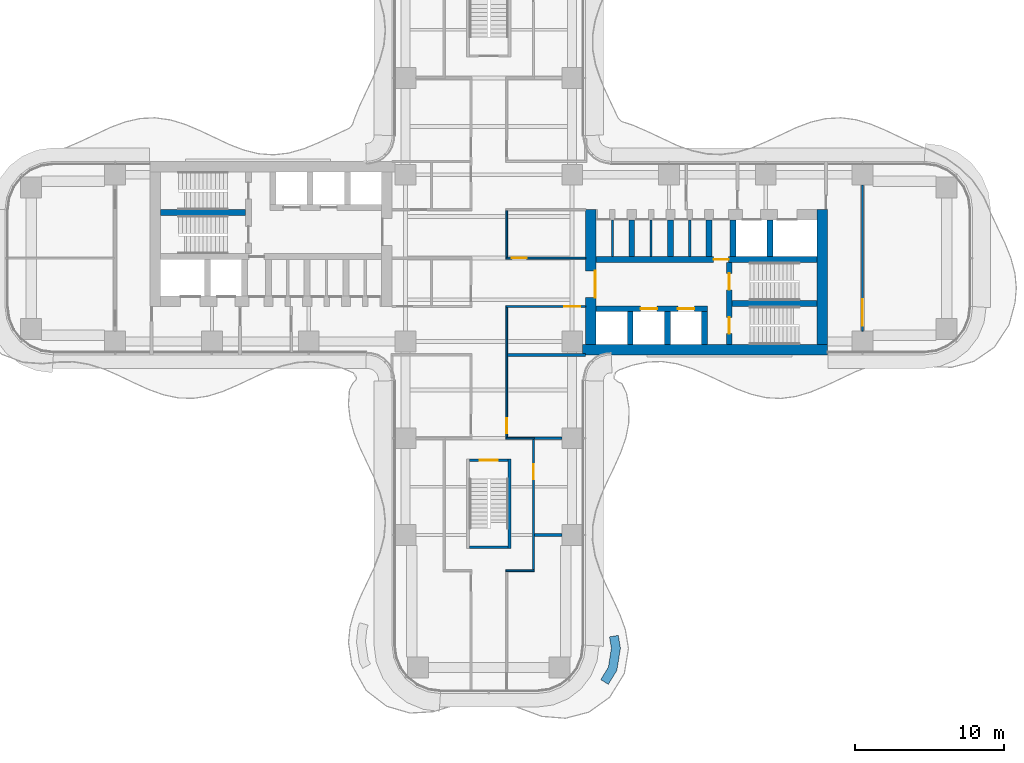
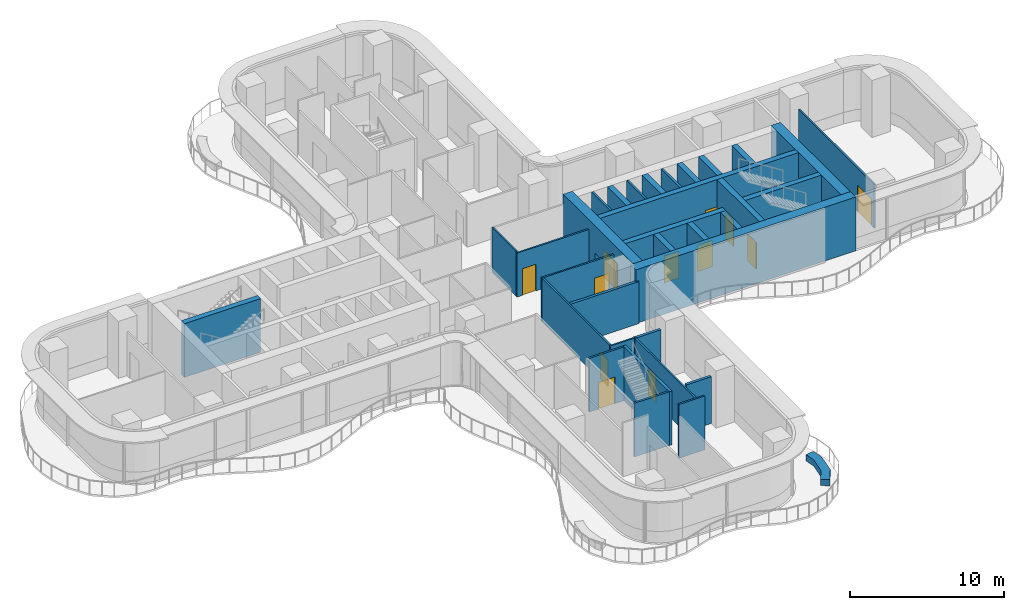
# One storey, part 18 of 23: 34 walls, 12 doors, 12 openings.
"""IFC4 building model written with IfcOpenShell, lengths in metres."""

from ifc_helpers import new_model, si_unit, direction, frame, frame_2d, origin, place, context, subcontext, project, spatial, polyline, rectangle, outline, extrude, source, transform, mapped, material, layer, layer_set, type_object, element, fill, save


model = new_model("IFC4")

# Units and contexts
model_context = context("Model", 3, precision=1e-05, world=origin(), true_north=direction((0.0, 1.0)))
body_context = subcontext(model_context, "Body", "Model", "MODEL_VIEW")
ifc_project = project(units=[si_unit("LENGTHUNIT", "METRE"), si_unit("AREAUNIT", "SQUARE_METRE"), si_unit("VOLUMEUNIT", "CUBIC_METRE"), si_unit("PLANEANGLEUNIT", "RADIAN"), si_unit("MASSUNIT", "GRAM", prefix="KILO")], contexts=[model_context])

# Site, building, storey
site_placement = place(None, origin())
site = spatial("IfcSite", under=ifc_project, at=site_placement, CompositionType="ELEMENT")
building_placement = place(site_placement, origin())
building = spatial("IfcBuilding", under=site, at=building_placement, Name="Trellis Farm Tower", CompositionType="ELEMENT")
storey_placement = place(building_placement, frame((0.0, 0.0, 83.5)))
storey = spatial("IfcBuildingStorey", under=building, at=storey_placement, Name="L17", CompositionType="ELEMENT", Elevation=83.5)

# Wall
ifc_material_1 = material(Name="Sandstone faced masonry planter", Category="masonry")
ifc_layer_1 = layer(ifc_material_1, 0.60009765625)
ifc_layer_set_1 = layer_set([ifc_layer_1], Name="PLANTER BED 600")
wall_type_1 = type_object("IfcWallType", Name="PLANTER BED 600", PredefinedType="USERDEFINED", material=ifc_layer_set_1)
wall_1_placement = place(storey_placement, origin())
element("IfcWall", 1, at=wall_1_placement, inside=storey, type_object=wall_type_1, Name="PLANTER bed", ObjectType="PLANTER", PredefinedType="USERDEFINED", context=body_context, shape_type="SweptSolid", body=[
    extrude(outline(polyline([(8.60205078125, -27.6962890625), (8.02490234375, -28.631103515625), (7.514404296875, -28.31591796875), (8.0283203125, -27.4833984375), (8.232666015625, -26.200439453125), (8.104248046875, -25.43798828125), (8.69580078125, -25.338134765625), (8.840576171875, -26.197509765625), (8.60205078125, -27.6962890625)])), origin(), (0.0, 0.0, 1.0), 0.5),
])

# Wall, opening, door
ifc_material_2 = material(Name="Concrete C80/95", Category="concrete")
ifc_layer_2 = layer(ifc_material_2, 0.699951171875)
ifc_layer_set_2 = layer_set([ifc_layer_2], Name="CORE OUTER WALL 700 CONCRETE C80/95")
wall_type_2 = type_object("IfcWallType", Name="CORE OUTER WALL 700 CONCRETE C80/95", PredefinedType="SHEAR", material=ifc_layer_set_2)
shared_shape_1 = source(origin(), body_context, "Body", "SweptSolid", [
    extrude(rectangle(XDim=9.050048828125, YDim=0.699951171875, at=frame_2d((4.52490234375, 0.0))), origin(), (0.0, 0.0, 1.0), 4.25),
])
wall_2_placement = place(storey_placement, frame((6.85009765625, -5.800048828125, 0.0), z_axis=(0.0, 0.0, 1.0), x_axis=(0.0, 1.0, 0.0)))
wall_2 = element("IfcWall", 2, at=wall_2_placement, inside=storey, type_object=wall_type_2, Name="Core wall", PredefinedType="SHEAR", context=body_context, shape_type="MappedRepresentation", body=[
    mapped(shared_shape_1, transform((0.0, 0.0, 0.0))),
])
shared_shape_2 = source(origin(), body_context, "Body", "SweptSolid", [
    extrude(rectangle(XDim=1.800048828125, YDim=2.10009765625, at=frame_2d((0.89990234375, 1.050048828125))), frame((0.0, 0.360107421875, 0.0), z_axis=(0.0, -1.0, 0.0), x_axis=(1.0, 0.0, 0.0)), (0.0, 0.0, 1.0), 0.72021484375),
])
opening_1_placement = place(wall_2_placement, frame((3.14990234375, 0.0, 0.0)))
opening_1 = element("IfcOpeningElement", 3, at=opening_1_placement, cuts=wall_2, Name="Opening DC1", PredefinedType="OPENING", context=body_context, shape_type="MappedRepresentation", body=[
    mapped(shared_shape_2, transform((0.0, 0.0, 0.0))),
])
ifc_material_3 = material(Name="Steel", Category="steel")
door_type_1 = type_object("IfcDoorType", Name="CORE FIRE DOOR DOUBLE 1800 X 2100", OperationType="DOUBLE_DOOR_SINGLE_SWING", PredefinedType="DOOR", material=ifc_material_3)
shared_shape_3 = source(origin(), body_context, "Body", "SweptSolid", [
    extrude(rectangle(XDim=1.800048828125, YDim=2.10009765625, at=frame_2d((0.89990234375, 1.050048828125))), frame((0.0, -0.27490234375, 0.0), z_axis=(0.0, -1.0, 0.0), x_axis=(1.0, 0.0, 0.0)), (0.0, 0.0, 1.0), 0.050048828125),
])
door_1_placement = place(opening_1_placement, origin())
door_1 = element("IfcDoor", 4, at=door_1_placement, inside=storey, type_object=door_type_1, Name="Core door", OperationType="DOUBLE_DOOR_SINGLE_SWING", OverallHeight=2.10009765625, OverallWidth=1.800048828125, PredefinedType="DOOR", context=body_context, shape_type="MappedRepresentation", body=[
    mapped(shared_shape_3, transform((0.0, 0.0, 0.0))),
])
fill(opening_1, door_1)

# Walls
wall_3_placement = place(storey_placement, frame((22.39990234375, -5.800048828125, 0.0), z_axis=(0.0, 0.0, 1.0), x_axis=(0.0, 1.0, 0.0)))
element("IfcWall", 5, at=wall_3_placement, inside=storey, type_object=wall_type_2, Name="Core wall", PredefinedType="SHEAR", context=body_context, shape_type="MappedRepresentation", body=[
    mapped(shared_shape_1, transform((0.0, 0.0, 0.0))),
])
ifc_layer_3 = layer(ifc_material_2, 0.39990234375)
ifc_layer_set_3 = layer_set([ifc_layer_3], Name="CORE INNER WALL 400 CONCRETE C80/95")
wall_type_3 = type_object("IfcWallType", Name="CORE INNER WALL 400 CONCRETE C80/95", PredefinedType="SHEAR", material=ifc_layer_set_3)
shared_shape_4 = source(origin(), body_context, "Body", "SweptSolid", [
    extrude(rectangle(XDim=2.199951171875, YDim=0.39990234375, at=frame_2d((1.10009765625, 0.0))), origin(), (0.0, 0.0, 1.0), 4.25),
])
for number, where, z_axis, x_axis, name in (
    (6, (9.5, -5.800048828125, 0.0), (0.0, 0.0, 1.0), (0.0, 1.0, 0.0), "Core wall"),
    (7, (12.0, -5.800048828125, 0.0), (0.0, 0.0, 1.0), (0.0, 1.0, 0.0), "Core wall"),
    (8, (14.5, -5.800048828125, 0.0), (0.0, 0.0, 1.0), (0.0, 1.0, 0.0), "Core wall"),
):
    element("IfcWall", number, at=place(storey_placement, frame(where, z_axis=z_axis, x_axis=x_axis)), inside=storey, type_object=wall_type_3, Name=name, PredefinedType="SHEAR", context=body_context, shape_type="MappedRepresentation", body=[
        mapped(shared_shape_4, transform((0.0, 0.0, 0.0))),
    ])
shared_shape_5 = source(origin(), body_context, "Body", "SweptSolid", [
    extrude(rectangle(XDim=2.449951171875, YDim=0.39990234375, at=frame_2d((1.22509765625, 0.0))), origin(), (0.0, 0.0, 1.0), 4.25),
])
for number, where, z_axis, x_axis, name in (
    (9, (9.60009765625, 0.10009765625, 0.0), (0.0, 0.0, 1.0), (0.0, 1.0, 0.0), "Core wall"),
    (10, (12.199951171875, 0.10009765625, 0.0), (0.0, 0.0, 1.0), (0.0, 1.0, 0.0), "Core wall"),
    (11, (14.800048828125, 0.10009765625, 0.0), (0.0, 0.0, 1.0), (0.0, 1.0, 0.0), "Core wall"),
    (12, (16.39990234375, 0.10009765625, 0.0), (0.0, 0.0, 1.0), (0.0, 1.0, 0.0), "Core wall"),
    (13, (18.89990234375, 0.10009765625, 0.0), (0.0, 0.0, 1.0), (0.0, 1.0, 0.0), "Core wall"),
):
    element("IfcWall", number, at=place(storey_placement, frame(where, z_axis=z_axis, x_axis=x_axis)), inside=storey, type_object=wall_type_3, Name=name, PredefinedType="SHEAR", context=body_context, shape_type="MappedRepresentation", body=[
        mapped(shared_shape_5, transform((0.0, 0.0, 0.0))),
    ])
shared_shape_6 = source(origin(), body_context, "Body", "SweptSolid", [
    extrude(rectangle(XDim=16.449951171875, YDim=0.699951171875, at=frame_2d((8.22509765625, 0.0))), origin(), (0.0, 0.0, 1.0), 4.25),
])
wall_4_placement = place(storey_placement, frame((6.300048828125, -6.14990234375, 0.0), z_axis=(0.0, 0.0, 1.0), x_axis=(1.0, 0.0, 0.0)))
element("IfcWall", 14, at=wall_4_placement, inside=storey, type_object=wall_type_2, Name="Core wall", PredefinedType="SHEAR", context=body_context, shape_type="MappedRepresentation", body=[
    mapped(shared_shape_6, transform((0.0, 0.0, 0.0))),
])

# Wall, openings, doors
shared_shape_7 = source(origin(), body_context, "Body", "SweptSolid", [
    extrude(rectangle(XDim=7.5, YDim=0.39990234375, at=frame_2d((3.75, 0.0))), origin(), (0.0, 0.0, 1.0), 4.25),
])
wall_5_placement = place(storey_placement, frame((7.199951171875, -3.39990234375, 0.0), z_axis=(0.0, 0.0, 1.0), x_axis=(1.0, 0.0, 0.0)))
wall_5 = element("IfcWall", 15, at=wall_5_placement, inside=storey, type_object=wall_type_3, Name="Core wall", PredefinedType="SHEAR", context=body_context, shape_type="MappedRepresentation", body=[
    mapped(shared_shape_7, transform((0.0, 0.0, 0.0))),
])
shared_shape_8 = source(origin(), body_context, "Body", "SweptSolid", [
    extrude(rectangle(XDim=1.10009765625, YDim=2.10009765625, at=frame_2d((0.550048828125, 1.050048828125))), frame((0.0, 0.2099609375, 0.0), z_axis=(0.0, -1.0, 0.0), x_axis=(1.0, 0.0, 0.0)), (0.0, 0.0, 1.0), 0.419921875),
])
opening_2_placement = place(wall_5_placement, frame((3.0, 0.0, 0.0)))
opening_2 = element("IfcOpeningElement", 16, at=opening_2_placement, cuts=wall_5, Name="Opening LD2", PredefinedType="OPENING", context=body_context, shape_type="MappedRepresentation", body=[
    mapped(shared_shape_8, transform((0.0, 0.0, 0.0))),
])
opening_3_placement = place(wall_5_placement, frame((5.5, 0.0, 0.0)))
opening_3 = element("IfcOpeningElement", 17, at=opening_3_placement, cuts=wall_5, Name="Opening LD3", PredefinedType="OPENING", context=body_context, shape_type="MappedRepresentation", body=[
    mapped(shared_shape_8, transform((0.0, 0.0, 0.0))),
])
ifc_material_4 = material(Name="Stainless steel", Category="steel")
door_type_2 = type_object("IfcDoorType", Name="LIFT LANDING DOOR 1100 X 2100", OperationType="DOUBLE_DOOR_SLIDING", PredefinedType="DOOR", material=ifc_material_4)
shared_shape_9 = source(origin(), body_context, "Body", "SweptSolid", [
    extrude(rectangle(XDim=1.10009765625, YDim=2.10009765625, at=frame_2d((0.550048828125, 1.050048828125))), frame((0.0, 0.02490234375, 0.0), z_axis=(0.0, -1.0, 0.0), x_axis=(1.0, 0.0, 0.0)), (0.0, 0.0, 1.0), 0.050048828125),
])
door_2_placement = place(opening_2_placement, origin())
door_2 = element("IfcDoor", 18, at=door_2_placement, inside=storey, type_object=door_type_2, Name="Lift landing door", OperationType="DOUBLE_DOOR_SLIDING", OverallHeight=2.10009765625, OverallWidth=1.10009765625, PredefinedType="DOOR", context=body_context, shape_type="MappedRepresentation", body=[
    mapped(shared_shape_9, transform((0.0, 0.0, 0.0))),
])
fill(opening_2, door_2)
door_3_placement = place(opening_3_placement, origin())
door_3 = element("IfcDoor", 19, at=door_3_placement, inside=storey, type_object=door_type_2, Name="Lift landing door", OperationType="DOUBLE_DOOR_SLIDING", OverallHeight=2.10009765625, OverallWidth=1.10009765625, PredefinedType="DOOR", context=body_context, shape_type="MappedRepresentation", body=[
    mapped(shared_shape_9, transform((0.0, 0.0, 0.0))),
])
fill(opening_3, door_3)

# Wall, opening, door
shared_shape_10 = source(origin(), body_context, "Body", "SweptSolid", [
    extrude(rectangle(XDim=14.85009765625, YDim=0.39990234375, at=frame_2d((7.425048828125, 0.0))), origin(), (0.0, 0.0, 1.0), 4.25),
])
wall_6_placement = place(storey_placement, frame((7.199951171875, -0.10009765625, 0.0), z_axis=(0.0, 0.0, 1.0), x_axis=(1.0, 0.0, 0.0)))
wall_6 = element("IfcWall", 20, at=wall_6_placement, inside=storey, type_object=wall_type_3, Name="Core wall", PredefinedType="SHEAR", context=body_context, shape_type="MappedRepresentation", body=[
    mapped(shared_shape_10, transform((0.0, 0.0, 0.0))),
])
shared_shape_11 = source(origin(), body_context, "Body", "SweptSolid", [
    extrude(rectangle(XDim=1.0, YDim=2.10009765625, at=frame_2d((0.5, 1.050048828125))), frame((0.0, 0.2099609375, 0.0), z_axis=(0.0, -1.0, 0.0), x_axis=(1.0, 0.0, 0.0)), (0.0, 0.0, 1.0), 0.419921875),
])
opening_4_placement = place(wall_6_placement, frame((7.89990234375, 0.0, 0.0)))
opening_4 = element("IfcOpeningElement", 21, at=opening_4_placement, cuts=wall_6, Name="Opening DC5", PredefinedType="OPENING", context=body_context, shape_type="MappedRepresentation", body=[
    mapped(shared_shape_11, transform((0.0, 0.0, 0.0))),
])
door_type_3 = type_object("IfcDoorType", Name="CORE FIRE DOOR 1000 X 2100", OperationType="NOTDEFINED", PredefinedType="DOOR", material=ifc_material_3)
shared_shape_12 = source(origin(), body_context, "Body", "SweptSolid", [
    extrude(rectangle(XDim=1.0, YDim=2.10009765625, at=frame_2d((0.5, 1.050048828125))), frame((0.0, 0.02490234375, 0.0), z_axis=(0.0, -1.0, 0.0), x_axis=(1.0, 0.0, 0.0)), (0.0, 0.0, 1.0), 0.050048828125),
])
door_4_placement = place(opening_4_placement, origin())
door_4 = element("IfcDoor", 22, at=door_4_placement, inside=storey, type_object=door_type_3, Name="Core door", OperationType="SINGLE_SWING_RIGHT", OverallHeight=2.10009765625, OverallWidth=1.0, PredefinedType="DOOR", context=body_context, shape_type="MappedRepresentation", body=[
    mapped(shared_shape_12, transform((0.0, 0.0, 0.0))),
])
fill(opening_4, door_4)

# Wall, openings, doors
shared_shape_13 = source(origin(), body_context, "Body", "SweptSolid", [
    extrude(rectangle(XDim=5.5, YDim=0.39990234375, at=frame_2d((2.75, 0.0))), origin(), (0.0, 0.0, 1.0), 4.25),
])
wall_7_placement = place(storey_placement, frame((16.14990234375, -5.800048828125, 0.0), z_axis=(0.0, 0.0, 1.0), x_axis=(0.0, 1.0, 0.0)))
wall_7 = element("IfcWall", 23, at=wall_7_placement, inside=storey, type_object=wall_type_3, Name="Core wall", PredefinedType="SHEAR", context=body_context, shape_type="MappedRepresentation", body=[
    mapped(shared_shape_13, transform((0.0, 0.0, 0.0))),
])
opening_5_placement = place(wall_7_placement, frame((0.72509765625, 0.0, 0.0)))
opening_5 = element("IfcOpeningElement", 24, at=opening_5_placement, cuts=wall_7, Name="Opening DC2", PredefinedType="OPENING", context=body_context, shape_type="MappedRepresentation", body=[
    mapped(shared_shape_8, transform((0.0, 0.0, 0.0))),
])
opening_6_placement = place(wall_7_placement, frame((3.675048828125, 0.0, 0.0)))
opening_6 = element("IfcOpeningElement", 25, at=opening_6_placement, cuts=wall_7, Name="Opening DC3", PredefinedType="OPENING", context=body_context, shape_type="MappedRepresentation", body=[
    mapped(shared_shape_8, transform((0.0, 0.0, 0.0))),
])
door_type_4 = type_object("IfcDoorType", Name="CORE FIRE DOOR 1100 X 2100", OperationType="NOTDEFINED", PredefinedType="DOOR", material=ifc_material_3)
door_5_placement = place(opening_5_placement, origin())
door_5 = element("IfcDoor", 26, at=door_5_placement, inside=storey, type_object=door_type_4, Name="Core door", OperationType="SINGLE_SWING_RIGHT", OverallHeight=2.10009765625, OverallWidth=1.10009765625, PredefinedType="DOOR", context=body_context, shape_type="MappedRepresentation", body=[
    mapped(shared_shape_9, transform((0.0, 0.0, 0.0))),
])
fill(opening_5, door_5)
door_6_placement = place(opening_6_placement, origin())
door_6 = element("IfcDoor", 27, at=door_6_placement, inside=storey, type_object=door_type_4, Name="Core door", OperationType="SINGLE_SWING_LEFT", OverallHeight=2.10009765625, OverallWidth=1.10009765625, PredefinedType="DOOR", context=body_context, shape_type="MappedRepresentation", body=[
    mapped(shared_shape_9, transform((0.0, 0.0, 0.0))),
])
fill(opening_6, door_6)

# Walls
shared_shape_14 = source(origin(), body_context, "Body", "SweptSolid", [
    extrude(rectangle(XDim=5.699951171875, YDim=0.39990234375, at=frame_2d((2.85009765625, 0.0))), origin(), (0.0, 0.0, 1.0), 4.25),
])
for number, where, z_axis, x_axis, name in (
    (28, (16.35009765625, -3.050048828125, 0.0), (0.0, 0.0, 1.0), (1.0, 0.0, 0.0), "Core wall"),
    (29, (-16.35009765625, 3.050048828125, 0.0), (0.0, 0.0, 1.0), (-1.0, 0.0, 0.0), "Core wall"),
):
    element("IfcWall", number, at=place(storey_placement, frame(where, z_axis=z_axis, x_axis=x_axis)), inside=storey, type_object=wall_type_3, Name=name, PredefinedType="SHEAR", context=body_context, shape_type="MappedRepresentation", body=[
        mapped(shared_shape_14, transform((0.0, 0.0, 0.0))),
    ])
ifc_material_5 = material(Name="Masonry blockwork", Category="masonry")
ifc_layer_4 = layer(ifc_material_5, 0.14990234375)
ifc_layer_set_4 = layer_set([ifc_layer_4], Name="CORE PARTITION 150 BLOCKWORK")
wall_type_4 = type_object("IfcWallType", Name="CORE PARTITION 150 BLOCKWORK", PredefinedType="PARTITIONING", material=ifc_layer_set_4)
shared_shape_15 = source(origin(), body_context, "Body", "SweptSolid", [
    extrude(rectangle(XDim=2.449951171875, YDim=0.14990234375, at=frame_2d((1.22509765625, 0.0))), origin(), (0.0, 0.0, 1.0), 4.25),
])
for number, where, z_axis, x_axis, name in (
    (30, (8.300048828125, 0.10009765625, 0.0), (0.0, 0.0, 1.0), (0.0, 1.0, 0.0), "Core room partition"),
    (31, (10.89990234375, 0.10009765625, 0.0), (0.0, 0.0, 1.0), (0.0, 1.0, 0.0), "Core room partition"),
    (32, (13.5, 0.10009765625, 0.0), (0.0, 0.0, 1.0), (0.0, 1.0, 0.0), "Core room partition"),
):
    element("IfcWall", number, at=place(storey_placement, frame(where, z_axis=z_axis, x_axis=x_axis)), inside=storey, type_object=wall_type_4, Name=name, PredefinedType="PARTITIONING", context=body_context, shape_type="MappedRepresentation", body=[
        mapped(shared_shape_15, transform((0.0, 0.0, 0.0))),
    ])
ifc_layer_5 = layer(ifc_material_2, 0.199951171875)
ifc_layer_set_5 = layer_set([ifc_layer_5], Name="CORE STAIR ENCLOSURE WALL 200 CONCRETE C80/95")
wall_type_5 = type_object("IfcWallType", Name="CORE STAIR ENCLOSURE WALL 200 CONCRETE C80/95", PredefinedType="SHEAR", material=ifc_layer_set_5)
shared_shape_16 = source(origin(), body_context, "Body", "SweptSolid", [
    extrude(rectangle(XDim=6.0, YDim=0.199951171875, at=frame_2d((3.0, 0.0))), origin(), (0.0, 0.0, 1.0), 4.25),
])
wall_8_placement = place(storey_placement, frame((1.39990234375, -13.5, 0.0), z_axis=(0.0, 0.0, 1.0), x_axis=(0.0, -1.0, 0.0)))
element("IfcWall", 33, at=wall_8_placement, inside=storey, type_object=wall_type_5, Name="Stair enclosure wall", PredefinedType="SHEAR", context=body_context, shape_type="MappedRepresentation", body=[
    mapped(shared_shape_16, transform((0.0, 0.0, 0.0))),
])

# Wall, opening, door
ifc_layer_6 = layer(ifc_material_2, 0.14990234375)
ifc_layer_set_6 = layer_set([ifc_layer_6], Name="CORE STAIR ENCLOSURE WALL 150 CONCRETE C80/95")
wall_type_6 = type_object("IfcWallType", Name="CORE STAIR ENCLOSURE WALL 150 CONCRETE C80/95", PredefinedType="SHEAR", material=ifc_layer_set_6)
shared_shape_17 = source(origin(), body_context, "Body", "SweptSolid", [
    extrude(rectangle(XDim=2.60009765625, YDim=0.14990234375, at=frame_2d((1.300048828125, 0.0))), origin(), (0.0, 0.0, 1.0), 4.25),
])
wall_9_placement = place(storey_placement, frame((1.300048828125, -13.574951171875, 0.0), z_axis=(0.0, 0.0, 1.0), x_axis=(-1.0, 0.0, 0.0)))
wall_9 = element("IfcWall", 34, at=wall_9_placement, inside=storey, type_object=wall_type_6, Name="Stair enclosure wall", PredefinedType="SHEAR", context=body_context, shape_type="MappedRepresentation", body=[
    mapped(shared_shape_17, transform((0.0, 0.0, 0.0))),
])
shared_shape_18 = source(origin(), body_context, "Body", "SweptSolid", [
    extrude(rectangle(XDim=1.199951171875, YDim=2.10009765625, at=frame_2d((0.60009765625, 1.050048828125))), frame((0.0, 0.0849609375, 0.0), z_axis=(0.0, -1.0, 0.0), x_axis=(1.0, 0.0, 0.0)), (0.0, 0.0, 1.0), 0.169921875),
])
opening_7_placement = place(wall_9_placement, frame((0.699951171875, 0.0, 0.0)))
opening_7 = element("IfcOpeningElement", 35, at=opening_7_placement, cuts=wall_9, Name="Opening DC174", PredefinedType="OPENING", context=body_context, shape_type="MappedRepresentation", body=[
    mapped(shared_shape_18, transform((0.0, 0.0, 0.0))),
])
door_type_5 = type_object("IfcDoorType", Name="CORE FIRE DOOR 1200 X 2100", OperationType="NOTDEFINED", PredefinedType="DOOR", material=ifc_material_3)
shared_shape_19 = source(origin(), body_context, "Body", "SweptSolid", [
    extrude(rectangle(XDim=1.199951171875, YDim=2.10009765625, at=frame_2d((0.60009765625, 1.050048828125))), frame((0.0, 0.02490234375, 0.0), z_axis=(0.0, -1.0, 0.0), x_axis=(1.0, 0.0, 0.0)), (0.0, 0.0, 1.0), 0.050048828125),
])
door_7_placement = place(opening_7_placement, origin())
door_7 = element("IfcDoor", 36, at=door_7_placement, inside=storey, type_object=door_type_5, Name="Core door", OperationType="SINGLE_SWING_RIGHT", OverallHeight=2.10009765625, OverallWidth=1.199951171875, PredefinedType="DOOR", context=body_context, shape_type="MappedRepresentation", body=[
    mapped(shared_shape_19, transform((0.0, 0.0, 0.0))),
])
fill(opening_7, door_7)

# Walls
wall_10_placement = place(storey_placement, frame((1.300048828125, -19.425048828125, 0.0), z_axis=(0.0, 0.0, 1.0), x_axis=(-1.0, 0.0, 0.0)))
element("IfcWall", 37, at=wall_10_placement, inside=storey, type_object=wall_type_6, Name="Stair enclosure wall", PredefinedType="SHEAR", context=body_context, shape_type="MappedRepresentation", body=[
    mapped(shared_shape_17, transform((0.0, 0.0, 0.0))),
])
ifc_material_6 = material(Name="Plasterboard on steel studs, mineral wool", Category="steel")
ifc_layer_7 = layer(ifc_material_6, 0.125)
ifc_layer_set_7 = layer_set([ifc_layer_7], Name="PARTITION 125 STUD EI 60")
wall_type_7 = type_object("IfcWallType", Name="PARTITION 125 STUD EI 60", PredefinedType="PARTITIONING", material=ifc_layer_set_7)
shared_shape_20 = source(origin(), body_context, "Body", "SweptSolid", [
    extrude(rectangle(XDim=3.125, YDim=0.125, at=frame_2d((1.5625, 0.0))), origin(), (0.0, 0.0, 1.0), 3.54638671875),
])
wall_11_placement = place(storey_placement, frame((1.199951171875, 3.1875, 0.0), z_axis=(0.0, 0.0, 1.0), x_axis=(0.0, -1.0, 0.0)))
element("IfcWall", 38, at=wall_11_placement, inside=storey, type_object=wall_type_7, Name="Partition PW1", PredefinedType="PARTITIONING", context=body_context, shape_type="MappedRepresentation", body=[
    mapped(shared_shape_20, transform((0.0, 0.0, 0.0))),
])

# Wall, opening, door
shared_shape_21 = source(origin(), body_context, "Body", "SweptSolid", [
    extrude(rectangle(XDim=9.7998046875, YDim=0.125, at=frame_2d((4.89990234375, 0.0))), origin(), (0.0, 0.0, 1.0), 3.4677734375),
])
wall_12_placement = place(storey_placement, frame((25.10009765625, 4.89990234375, 0.0), z_axis=(0.0, 0.0, 1.0), x_axis=(0.0, -1.0, 0.0)))
wall_12 = element("IfcWall", 39, at=wall_12_placement, inside=storey, type_object=wall_type_7, Name="Partition PW1", PredefinedType="PARTITIONING", context=body_context, shape_type="MappedRepresentation", body=[
    mapped(shared_shape_21, transform((0.0, 0.0, 0.0))),
])
shared_shape_22 = source(origin(), body_context, "Body", "SweptSolid", [
    extrude(rectangle(XDim=1.800048828125, YDim=2.10009765625, at=frame_2d((0.89990234375, 1.050048828125))), frame((0.0, 0.072509765625, 0.0), z_axis=(0.0, -1.0, 0.0), x_axis=(1.0, 0.0, 0.0)), (0.0, 0.0, 1.0), 0.14501953125),
])
opening_8_placement = place(wall_12_placement, frame((7.64990234375, 0.0, 0.0)))
opening_8 = element("IfcOpeningElement", 40, at=opening_8_placement, cuts=wall_12, Name="Opening D201", PredefinedType="OPENING", context=body_context, shape_type="MappedRepresentation", body=[
    mapped(shared_shape_22, transform((0.0, 0.0, 0.0))),
])
ifc_material_7 = material(Name="Fire-rated timber door leaf in a hollow metal frame", Category="wood")
door_type_6 = type_object("IfcDoorType", Name="DOOR PAIR 1800x2100 FD30S", OperationType="NOTDEFINED", PredefinedType="DOOR", material=ifc_material_7)
shared_shape_23 = source(origin(), body_context, "Body", "SweptSolid", [
    extrude(rectangle(XDim=1.800048828125, YDim=2.10009765625, at=frame_2d((0.89990234375, 1.050048828125))), frame((0.0, 0.02490234375, 0.0), z_axis=(0.0, -1.0, 0.0), x_axis=(1.0, 0.0, 0.0)), (0.0, 0.0, 1.0), 0.050048828125),
])
door_8_placement = place(opening_8_placement, origin())
door_8 = element("IfcDoor", 41, at=door_8_placement, inside=storey, type_object=door_type_6, Name="Door D201", OperationType="DOUBLE_DOOR_SINGLE_SWING", OverallHeight=2.10009765625, OverallWidth=1.800048828125, PredefinedType="DOOR", context=body_context, shape_type="MappedRepresentation", body=[
    mapped(shared_shape_23, transform((0.0, 0.0, 0.0))),
])
fill(opening_8, door_8)

# Wall
shared_shape_24 = source(origin(), body_context, "Body", "SweptSolid", [
    extrude(rectangle(XDim=1.925048828125, YDim=0.125, at=frame_2d((0.96240234375, 0.0))), origin(), (0.0, 0.0, 1.0), 3.4677734375),
])
wall_13_placement = place(storey_placement, frame((1.137451171875, -12.10009765625, 0.0), z_axis=(0.0, 0.0, 1.0), x_axis=(1.0, 0.0, 0.0)))
element("IfcWall", 42, at=wall_13_placement, inside=storey, type_object=wall_type_7, Name="Partition PW1", PredefinedType="PARTITIONING", context=body_context, shape_type="MappedRepresentation", body=[
    mapped(shared_shape_24, transform((0.0, 0.0, 0.0))),
])

# Wall, opening, door
shared_shape_25 = source(origin(), body_context, "Body", "SweptSolid", [
    extrude(rectangle(XDim=5.362548828125, YDim=0.125, at=frame_2d((2.68115234375, 0.0))), origin(), (0.0, 0.0, 1.0), 3.4677734375),
])
wall_14_placement = place(storey_placement, frame((6.5, -3.25, 0.0), z_axis=(0.0, 0.0, 1.0), x_axis=(-1.0, 0.0, 0.0)))
wall_14 = element("IfcWall", 43, at=wall_14_placement, inside=storey, type_object=wall_type_7, Name="Partition PW1", PredefinedType="PARTITIONING", context=body_context, shape_type="MappedRepresentation", body=[
    mapped(shared_shape_25, transform((0.0, 0.0, 0.0))),
])
shared_shape_26 = source(origin(), body_context, "Body", "SweptSolid", [
    extrude(rectangle(XDim=1.10009765625, YDim=2.10009765625, at=frame_2d((0.550048828125, 1.050048828125))), frame((0.0, 0.072509765625, 0.0), z_axis=(0.0, -1.0, 0.0), x_axis=(1.0, 0.0, 0.0)), (0.0, 0.0, 1.0), 0.14501953125),
])
opening_9_placement = place(wall_14_placement, frame((0.35009765625, 0.0, 0.0)))
opening_9 = element("IfcOpeningElement", 44, at=opening_9_placement, cuts=wall_14, Name="Opening D501", PredefinedType="OPENING", context=body_context, shape_type="MappedRepresentation", body=[
    mapped(shared_shape_26, transform((0.0, 0.0, 0.0))),
])
door_type_7 = type_object("IfcDoorType", Name="DOOR 1100x2100 FD30S", OperationType="NOTDEFINED", PredefinedType="DOOR", material=ifc_material_7)
door_9_placement = place(opening_9_placement, origin())
door_9 = element("IfcDoor", 45, at=door_9_placement, inside=storey, type_object=door_type_7, Name="Door D501", OperationType="SINGLE_SWING_LEFT", OverallHeight=2.10009765625, OverallWidth=1.10009765625, PredefinedType="DOOR", context=body_context, shape_type="MappedRepresentation", body=[
    mapped(shared_shape_9, transform((0.0, 0.0, 0.0))),
])
fill(opening_9, door_9)

wall_15_placement = place(storey_placement, frame((6.5, 0.0, 0.0), z_axis=(0.0, 0.0, 1.0), x_axis=(-1.0, 0.0, 0.0)))
wall_15 = element("IfcWall", 46, at=wall_15_placement, inside=storey, type_object=wall_type_7, Name="Partition PW1", PredefinedType="PARTITIONING", context=body_context, shape_type="MappedRepresentation", body=[
    mapped(shared_shape_25, transform((0.0, 0.0, 0.0))),
])
shared_shape_27 = source(origin(), body_context, "Body", "SweptSolid", [
    extrude(rectangle(XDim=1.0, YDim=2.10009765625, at=frame_2d((0.5, 1.050048828125))), frame((0.0, 0.072509765625, 0.0), z_axis=(0.0, -1.0, 0.0), x_axis=(1.0, 0.0, 0.0)), (0.0, 0.0, 1.0), 0.14501953125),
])
opening_10_placement = place(wall_15_placement, frame((3.949951171875, 0.0, 0.0)))
opening_10 = element("IfcOpeningElement", 47, at=opening_10_placement, cuts=wall_15, Name="Opening D106", PredefinedType="OPENING", context=body_context, shape_type="MappedRepresentation", body=[
    mapped(shared_shape_27, transform((0.0, 0.0, 0.0))),
])
door_type_8 = type_object("IfcDoorType", Name="DOOR 1000x2100 FD30S", OperationType="NOTDEFINED", PredefinedType="DOOR", material=ifc_material_7)
door_10_placement = place(opening_10_placement, origin())
door_10 = element("IfcDoor", 48, at=door_10_placement, inside=storey, type_object=door_type_8, Name="Door D106", OperationType="SINGLE_SWING_RIGHT", OverallHeight=2.10009765625, OverallWidth=1.0, PredefinedType="DOOR", context=body_context, shape_type="MappedRepresentation", body=[
    mapped(shared_shape_12, transform((0.0, 0.0, 0.0))),
])
fill(opening_10, door_10)

# Wall
ifc_material_8 = material(Name="Lightweight blockwork, plastered", Category="masonry")
ifc_layer_8 = layer(ifc_material_8, 0.199951171875)
ifc_layer_set_8 = layer_set([ifc_layer_8], Name="BLOCK WALL 200 EI 120")
wall_type_8 = type_object("IfcWallType", Name="BLOCK WALL 200 EI 120", PredefinedType="PARTITIONING", material=ifc_layer_set_8)
shared_shape_28 = source(origin(), body_context, "Body", "SweptSolid", [
    extrude(rectangle(XDim=1.96240234375, YDim=0.199951171875, at=frame_2d((0.981201171875, 0.0))), origin(), (0.0, 0.0, 1.0), 3.4677734375),
])
wall_16_placement = place(storey_placement, frame((2.9375, -12.10009765625, 0.0), z_axis=(0.0, 0.0, 1.0), x_axis=(1.0, 0.0, 0.0)))
element("IfcWall", 49, at=wall_16_placement, inside=storey, type_object=wall_type_8, Name="Partition PW3", PredefinedType="PARTITIONING", context=body_context, shape_type="MappedRepresentation", body=[
    mapped(shared_shape_28, transform((0.0, 0.0, 0.0))),
])

# Wall, opening, door
shared_shape_29 = source(origin(), body_context, "Body", "SweptSolid", [
    extrude(rectangle(XDim=8.72509765625, YDim=0.125, at=frame_2d((4.362548828125, 0.0))), origin(), (0.0, 0.0, 1.0), 3.4677734375),
])
wall_17_placement = place(storey_placement, frame((1.199951171875, -3.3125, 0.0), z_axis=(0.0, 0.0, 1.0), x_axis=(0.0, -1.0, 0.0)))
wall_17 = element("IfcWall", 50, at=wall_17_placement, inside=storey, type_object=wall_type_7, Name="Partition PW1", PredefinedType="PARTITIONING", context=body_context, shape_type="MappedRepresentation", body=[
    mapped(shared_shape_29, transform((0.0, 0.0, 0.0))),
])
opening_11_placement = place(wall_17_placement, frame((7.4375, 0.0, 0.0)))
opening_11 = element("IfcOpeningElement", 51, at=opening_11_placement, cuts=wall_17, Name="Opening D302", PredefinedType="OPENING", context=body_context, shape_type="MappedRepresentation", body=[
    mapped(shared_shape_27, transform((0.0, 0.0, 0.0))),
])
door_type_9 = type_object("IfcDoorType", Name="DOOR 1000x2100 FD60", OperationType="NOTDEFINED", PredefinedType="DOOR", material=ifc_material_7)
door_11_placement = place(opening_11_placement, origin())
door_11 = element("IfcDoor", 52, at=door_11_placement, inside=storey, type_object=door_type_9, Name="Door D302", OperationType="SINGLE_SWING_RIGHT", OverallHeight=2.10009765625, OverallWidth=1.0, PredefinedType="DOOR", context=body_context, shape_type="MappedRepresentation", body=[
    mapped(shared_shape_12, transform((0.0, 0.0, 0.0))),
])
fill(opening_11, door_11)

# Wall
shared_shape_30 = source(origin(), body_context, "Body", "SweptSolid", [
    extrude(rectangle(XDim=5.237548828125, YDim=0.199951171875, at=frame_2d((2.61865234375, 0.0))), origin(), (0.0, 0.0, 1.0), 3.330078125),
])
wall_18_placement = place(storey_placement, frame((1.262451171875, -6.5, 0.0), z_axis=(0.0, 0.0, 1.0), x_axis=(1.0, 0.0, 0.0)))
element("IfcWall", 53, at=wall_18_placement, inside=storey, type_object=wall_type_8, Name="Partition PW3", PredefinedType="PARTITIONING", context=body_context, shape_type="MappedRepresentation", body=[
    mapped(shared_shape_30, transform((0.0, 0.0, 0.0))),
])

# Wall, opening, door
shared_shape_31 = source(origin(), body_context, "Body", "SweptSolid", [
    extrude(rectangle(XDim=8.737548828125, YDim=0.125, at=frame_2d((4.36865234375, 0.0))), origin(), (0.0, 0.0, 1.0), 3.4677734375),
])
wall_19_placement = place(storey_placement, frame((3.0, -12.199951171875, 0.0), z_axis=(0.0, 0.0, 1.0), x_axis=(0.0, -1.0, 0.0)))
wall_19 = element("IfcWall", 54, at=wall_19_placement, inside=storey, type_object=wall_type_7, Name="Partition PW1", PredefinedType="PARTITIONING", context=body_context, shape_type="MappedRepresentation", body=[
    mapped(shared_shape_31, transform((0.0, 0.0, 0.0))),
])
opening_12_placement = place(wall_19_placement, frame((1.64990234375, 0.0, 0.0)))
opening_12 = element("IfcOpeningElement", 55, at=opening_12_placement, cuts=wall_19, Name="Opening D301", PredefinedType="OPENING", context=body_context, shape_type="MappedRepresentation", body=[
    mapped(shared_shape_27, transform((0.0, 0.0, 0.0))),
])
door_12_placement = place(opening_12_placement, origin())
door_12 = element("IfcDoor", 56, at=door_12_placement, inside=storey, type_object=door_type_9, Name="Door D301", OperationType="SINGLE_SWING_LEFT", OverallHeight=2.10009765625, OverallWidth=1.0, PredefinedType="DOOR", context=body_context, shape_type="MappedRepresentation", body=[
    mapped(shared_shape_12, transform((0.0, 0.0, 0.0))),
])
fill(opening_12, door_12)

# Walls
shared_shape_32 = source(origin(), body_context, "Body", "SweptSolid", [
    extrude(rectangle(XDim=1.925048828125, YDim=0.125, at=frame_2d((0.96240234375, 0.0))), origin(), (0.0, 0.0, 1.0), 4.25),
])
wall_20_placement = place(storey_placement, frame((3.0625, -21.0, 0.0), z_axis=(0.0, 0.0, 1.0), x_axis=(-1.0, 0.0, 0.0)))
element("IfcWall", 57, at=wall_20_placement, inside=storey, type_object=wall_type_7, Name="Partition PW1", PredefinedType="PARTITIONING", context=body_context, shape_type="MappedRepresentation", body=[
    mapped(shared_shape_32, transform((0.0, 0.0, 0.0))),
])
shared_shape_33 = source(origin(), body_context, "Body", "SweptSolid", [
    extrude(rectangle(XDim=1.83740234375, YDim=0.199951171875, at=frame_2d((0.918701171875, 0.0))), origin(), (0.0, 0.0, 1.0), 3.697021484375),
])
wall_21_placement = place(storey_placement, frame((3.0625, -18.60009765625, 0.0), z_axis=(0.0, 0.0, 1.0), x_axis=(1.0, 0.0, 0.0)))
element("IfcWall", 58, at=wall_21_placement, inside=storey, type_object=wall_type_8, Name="Partition PW3", PredefinedType="PARTITIONING", context=body_context, shape_type="MappedRepresentation", body=[
    mapped(shared_shape_33, transform((0.0, 0.0, 0.0))),
])

save(model, "model.ifc")
